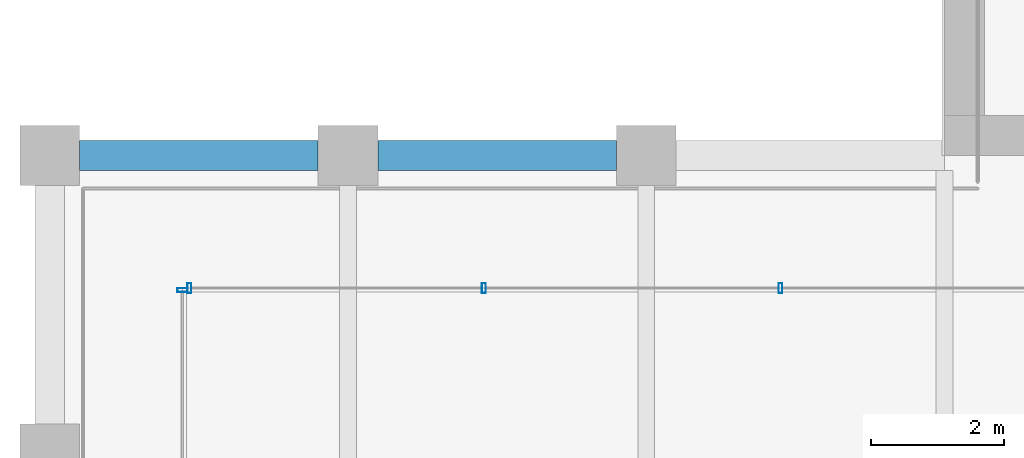
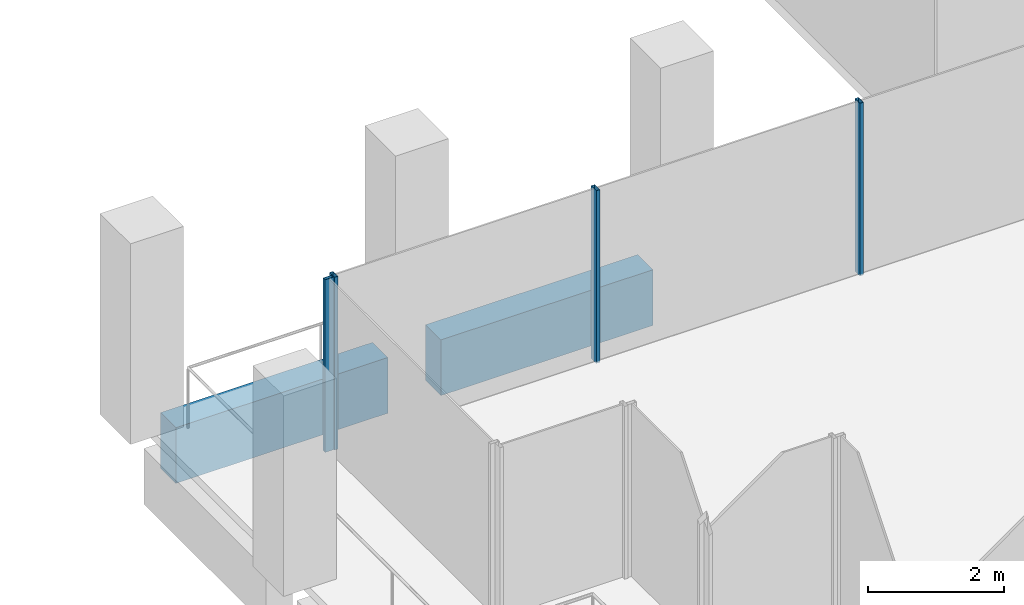
# One storey, part 5 of 40: 4 members, 2 beams, 2 elements without a shape of their own.
"""IFC4 building model written with IfcOpenShell, lengths in metres."""

from ifc_helpers import new_model, si_unit, direction, frame, origin, origin_2d, place, context, subcontext, project, spatial, rectangle, hollow_rectangle, extrude, material, material_profile, profile_set, type_object, element, aggregate, save


model = new_model("IFC4")

# Units and contexts
model_context = context("Model", 3, precision=1e-05, world=origin(), true_north=direction((0.0, 1.0)))
body_context = subcontext(model_context, "Body", "Model", "MODEL_VIEW")
ifc_project = project(units=[si_unit("LENGTHUNIT", "METRE"), si_unit("AREAUNIT", "SQUARE_METRE"), si_unit("VOLUMEUNIT", "CUBIC_METRE"), si_unit("PLANEANGLEUNIT", "RADIAN"), si_unit("MASSUNIT", "GRAM", prefix="KILO")], contexts=[model_context])

# Site, building, storey
site_placement = place(None, origin())
site = spatial("IfcSite", under=ifc_project, at=site_placement, CompositionType="ELEMENT")
building_placement = place(site_placement, origin())
building = spatial("IfcBuilding", under=site, at=building_placement, Name="Altepetl Exchange Towers", CompositionType="ELEMENT")
storey_placement = place(building_placement, frame((0.0, 0.0, 179.800048828125)))
storey = spatial("IfcBuildingStorey", under=building, at=storey_placement, Name="L45", CompositionType="ELEMENT", Elevation=179.800048828125)

# Curtain wall, members
ifc_material_1 = material(Name="Aluminium 6063-T6 glazing", Category="aluminium")
curtain_wall_type = type_object("IfcCurtainWallType", Name="Loggia glazing system", PredefinedType="NOTDEFINED", material=ifc_material_1)
curtain_wall_1_placement = place(storey_placement, origin())
curtain_wall_1 = element("IfcCurtainWall", 1, at=curtain_wall_1_placement, inside=storey, type_object=curtain_wall_type, Name="CW1 run", PredefinedType="NOTDEFINED")
ifc_material_2 = material(Name="Aluminium 6063-T6", Category="aluminium")
ifc_material_profile_1 = material_profile(ifc_material_2, hollow_rectangle(XDim=0.06005859375, YDim=0.14990234375, WallThickness=0.0029296875, at=origin_2d()), Name="Mullion 60x150 aluminium")
ifc_profile_set_1 = profile_set([ifc_material_profile_1], Name="Aluminium 6063-T6")
member_type = type_object("IfcMemberType", Name="Mullion 60x150 aluminium", PredefinedType="MULLION", material=ifc_profile_set_1)
member_1_placement = place(storey_placement, frame((38.02490234375, 38.5, 0.0), z_axis=(0.0, 0.0, 1.0), x_axis=(-1.0, 0.0, 0.0)))
member_1 = element("IfcMember", 2, at=member_1_placement, type_object=member_type, Name="MU1 mullion", PredefinedType="MULLION", context=body_context, shape_type="SweptSolid", body=[
    extrude(hollow_rectangle(XDim=0.06005859375, YDim=0.14990234375, WallThickness=0.0029296875, at=origin_2d()), origin(), (0.0, 0.0, 1.0), 3.099853515625),
])
member_2_placement = place(storey_placement, frame((33.550048828125, 38.5, 0.0), z_axis=(0.0, 0.0, 1.0), x_axis=(-1.0, 0.0, 0.0)))
member_2 = element("IfcMember", 3, at=member_2_placement, type_object=member_type, Name="MU1 mullion", PredefinedType="MULLION", context=body_context, shape_type="SweptSolid", body=[
    extrude(hollow_rectangle(XDim=0.06005859375, YDim=0.14990234375, WallThickness=0.0029296875, at=origin_2d()), origin(), (0.0, 0.0, 1.0), 3.099853515625),
])
member_3_placement = place(storey_placement, frame((29.10498046875, 38.5, 0.0), z_axis=(0.0, 0.0, 1.0), x_axis=(-1.0, 0.0, 0.0)))
member_3 = element("IfcMember", 4, at=member_3_placement, type_object=member_type, Name="MU1 mullion", PredefinedType="MULLION", context=body_context, shape_type="SweptSolid", body=[
    extrude(hollow_rectangle(XDim=0.06005859375, YDim=0.14990234375, WallThickness=0.0029296875, at=origin_2d()), origin(), (0.0, 0.0, 1.0), 3.099853515625),
])
aggregate(curtain_wall_1, [member_1, member_2, member_3])

# Curtain wall, member
curtain_wall_2_placement = place(storey_placement, origin())
curtain_wall_2 = element("IfcCurtainWall", 5, at=curtain_wall_2_placement, inside=storey, type_object=curtain_wall_type, Name="CW1 run", PredefinedType="NOTDEFINED")
member_4_placement = place(storey_placement, frame((29.0, 38.469970703125, 0.0), z_axis=(0.0, 0.0, 1.0), x_axis=(0.0, -1.0, 0.0)))
member_4 = element("IfcMember", 6, at=member_4_placement, type_object=member_type, Name="MU1 mullion", PredefinedType="MULLION", context=body_context, shape_type="SweptSolid", body=[
    extrude(hollow_rectangle(XDim=0.06005859375, YDim=0.14990234375, WallThickness=0.0029296875, at=origin_2d()), origin(), (0.0, 0.0, 1.0), 3.099853515625),
])
aggregate(curtain_wall_2, [member_4])

# Beams
ifc_material_3 = material(Name="Concrete C50/60 precast with tezontle facing", Category="concrete")
ifc_material_profile_2 = material_profile(ifc_material_3, rectangle(XDim=0.449951171875, YDim=1.0, at=origin_2d()), Name="450 x 1000")
ifc_profile_set_2 = profile_set([ifc_material_profile_2], Name="Concrete C50/60 precast with tezontle facing")
beam_type = type_object("IfcBeamType", Name="Spandrel beam 450x1000 tezontle", PredefinedType="SPANDREL", material=ifc_profile_set_2)
for number, where, z_axis, x_axis, name in (
    (7, (35.550048828125, 40.5, -0.650146484375), (-1.0, 0.0, 0.0), (0.0, -1.0, 0.0), "sp:A:L45:034"),
    (8, (31.050048828125, 40.5, -0.650146484375), (-1.0, 0.0, 0.0), (0.0, -1.0, 0.0), "sp:A:L45:035"),
):
    element("IfcBeam", number, at=place(storey_placement, frame(where, z_axis=z_axis, x_axis=x_axis)), inside=storey, type_object=beam_type, Name=name, PredefinedType="SPANDREL", context=body_context, shape_type="SweptSolid", body=[
        extrude(rectangle(XDim=0.449951171875, YDim=1.0, at=origin_2d()), origin(), (0.0, 0.0, 1.0), 3.60009765625),
    ])

save(model, "model.ifc")
